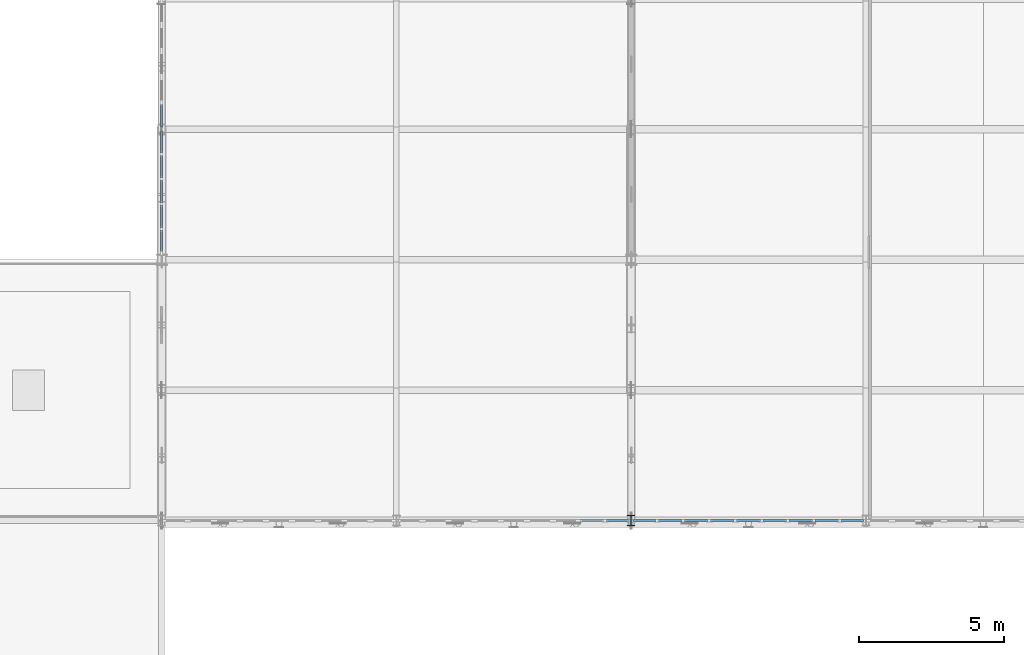
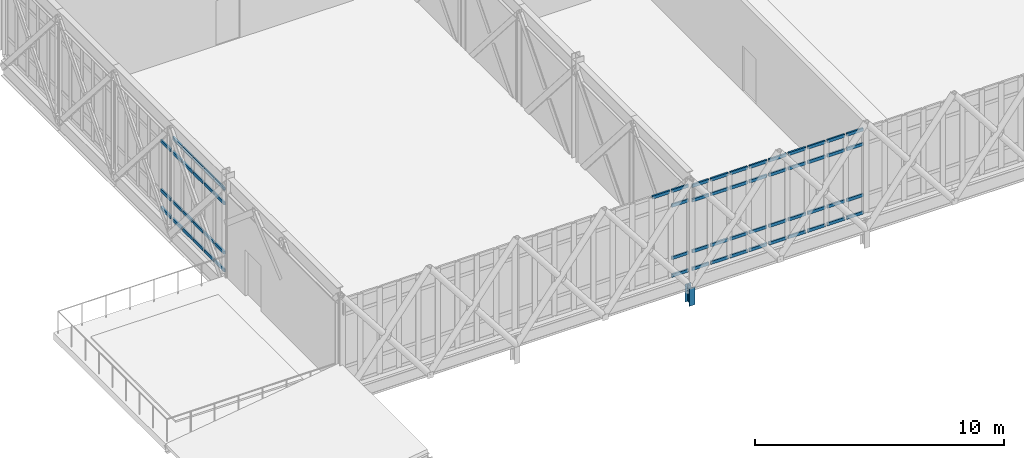
# One storey, part 44 of 107: 65 members, 4 elements without a shape of their own.
"""IFC4 building model written with IfcOpenShell, lengths in metres."""

from ifc_helpers import new_model, si_unit, direction, frame, origin, origin_2d, place, context, subcontext, project, spatial, rectangle, i_section, extrude, material, material_profile, profile_set, type_object, element, aggregate, save


model = new_model("IFC4")

# Units and contexts
model_context = context("Model", 3, precision=1e-05, world=origin(), true_north=direction((0.0, 1.0)))
body_context = subcontext(model_context, "Body", "Model", "MODEL_VIEW")
ifc_project = project(units=[si_unit("LENGTHUNIT", "METRE"), si_unit("AREAUNIT", "SQUARE_METRE"), si_unit("VOLUMEUNIT", "CUBIC_METRE"), si_unit("PLANEANGLEUNIT", "RADIAN"), si_unit("MASSUNIT", "GRAM", prefix="KILO")], contexts=[model_context])

# Site, building, storey
site_placement = place(None, origin())
site = spatial("IfcSite", under=ifc_project, at=site_placement, CompositionType="ELEMENT")
building_placement = place(site_placement, origin())
building = spatial("IfcBuilding", under=site, at=building_placement, Name="Tarnveldt Square Police Headquarters", CompositionType="ELEMENT")
storey_placement = place(building_placement, frame((0.0, 0.0, 14.699951171875)))
storey = spatial("IfcBuildingStorey", under=building, at=storey_placement, Name="L03", CompositionType="ELEMENT", Elevation=14.699951171875)

# Curtain wall, members
ifc_material_1 = material(Name="UL 752 Level III laminated ballistic vision glass", Category="glass")
curtain_wall_type_1 = type_object("IfcCurtainWallType", Name="CW-BL-810x422", PredefinedType="USERDEFINED", material=ifc_material_1)
curtain_wall_1_placement = place(storey_placement, origin())
curtain_wall_1 = element("IfcCurtainWall", 1, at=curtain_wall_1_placement, inside=storey, type_object=curtain_wall_type_1, Name="L03 Curtain Wall CW-L03-024", ObjectType="BALLISTIC CURTAIN WALL", PredefinedType="USERDEFINED")
ifc_material_2 = material(Name="Thermally broken anodised aluminium 6063-T6", Category="aluminium")
ifc_material_profile_1 = material_profile(ifc_material_2, rectangle(XDim=0.074951171875, YDim=0.14990234375, at=origin_2d()), Name="CW-T75x150")
ifc_profile_set_1 = profile_set([ifc_material_profile_1], Name="Thermally broken anodised aluminium 6063-T6")
member_type_1 = type_object("IfcMemberType", Name="CWT-75x150", PredefinedType="USERDEFINED", material=ifc_profile_set_1)
member_1_placement = place(storey_placement, frame((22.54248046875, 7.0, 4.1826171875), z_axis=(1.0, 0.0, 0.0), x_axis=(0.0, 1.0, 0.0)))
member_1 = element("IfcMember", 2, at=member_1_placement, type_object=member_type_1, Name="CW-BL12 transom 8.4", ObjectType="TRANSOM", PredefinedType="USERDEFINED", context=body_context, shape_type="SweptSolid", body=[
    extrude(rectangle(XDim=0.074951171875, YDim=0.14990234375, at=origin_2d()), origin(), (0.0, 0.0, 1.0), 0.81494140625),
])
member_2_placement = place(storey_placement, frame((23.4423828125, 7.0, 0.03759765625), z_axis=(1.0, 0.0, 0.0), x_axis=(0.0, 1.0, 0.0)))
member_2 = element("IfcMember", 3, at=member_2_placement, type_object=member_type_1, Name="CW-BL12 transom 9.1", ObjectType="TRANSOM", PredefinedType="USERDEFINED", context=body_context, shape_type="SweptSolid", body=[
    extrude(rectangle(XDim=0.074951171875, YDim=0.14990234375, at=origin_2d()), origin(), (0.0, 0.0, 1.0), 0.772705078125),
])
member_3_placement = place(storey_placement, frame((23.4423828125, 7.0, 0.900146484375), z_axis=(1.0, 0.0, 0.0), x_axis=(0.0, 1.0, 0.0)))
member_3 = element("IfcMember", 4, at=member_3_placement, type_object=member_type_1, Name="CW-BL12 transom 9.2", ObjectType="TRANSOM", PredefinedType="USERDEFINED", context=body_context, shape_type="SweptSolid", body=[
    extrude(rectangle(XDim=0.074951171875, YDim=0.14990234375, at=origin_2d()), origin(), (0.0, 0.0, 1.0), 0.772705078125),
])
member_4_placement = place(storey_placement, frame((23.4423828125, 7.0, 3.469970703125), z_axis=(1.0, 0.0, 0.0), x_axis=(0.0, 1.0, 0.0)))
member_4 = element("IfcMember", 5, at=member_4_placement, type_object=member_type_1, Name="CW-BL12 transom 9.3", ObjectType="TRANSOM", PredefinedType="USERDEFINED", context=body_context, shape_type="SweptSolid", body=[
    extrude(rectangle(XDim=0.074951171875, YDim=0.14990234375, at=origin_2d()), origin(), (0.0, 0.0, 1.0), 0.772705078125),
])
member_5_placement = place(storey_placement, frame((23.4423828125, 7.0, 4.1826171875), z_axis=(1.0, 0.0, 0.0), x_axis=(0.0, 1.0, 0.0)))
member_5 = element("IfcMember", 6, at=member_5_placement, type_object=member_type_1, Name="CW-BL12 transom 9.4", ObjectType="TRANSOM", PredefinedType="USERDEFINED", context=body_context, shape_type="SweptSolid", body=[
    extrude(rectangle(XDim=0.074951171875, YDim=0.14990234375, at=origin_2d()), origin(), (0.0, 0.0, 1.0), 0.772705078125),
])
aggregate(curtain_wall_1, [member_1, member_2, member_3, member_4, member_5])

curtain_wall_type_2 = type_object("IfcCurtainWallType", Name="CW-BL-810x414", PredefinedType="USERDEFINED", material=ifc_material_1)
curtain_wall_2_placement = place(storey_placement, origin())
curtain_wall_2 = element("IfcCurtainWall", 7, at=curtain_wall_2_placement, inside=storey, type_object=curtain_wall_type_2, Name="L03 Curtain Wall CW-L03-025", ObjectType="BALLISTIC CURTAIN WALL", PredefinedType="USERDEFINED")
member_6_placement = place(storey_placement, frame((24.385009765625, 7.0, 0.03759765625), z_axis=(1.0, 0.0, 0.0), x_axis=(0.0, 1.0, 0.0)))
member_6 = element("IfcMember", 8, at=member_6_placement, type_object=member_type_1, Name="CW-BL13 transom 1.1", ObjectType="TRANSOM", PredefinedType="USERDEFINED", context=body_context, shape_type="SweptSolid", body=[
    extrude(rectangle(XDim=0.074951171875, YDim=0.14990234375, at=origin_2d()), origin(), (0.0, 0.0, 1.0), 0.7724609375),
])
member_7_placement = place(storey_placement, frame((24.385009765625, 7.0, 0.900146484375), z_axis=(1.0, 0.0, 0.0), x_axis=(0.0, 1.0, 0.0)))
member_7 = element("IfcMember", 9, at=member_7_placement, type_object=member_type_1, Name="CW-BL13 transom 1.2", ObjectType="TRANSOM", PredefinedType="USERDEFINED", context=body_context, shape_type="SweptSolid", body=[
    extrude(rectangle(XDim=0.074951171875, YDim=0.14990234375, at=origin_2d()), origin(), (0.0, 0.0, 1.0), 0.7724609375),
])
member_8_placement = place(storey_placement, frame((24.385009765625, 7.0, 3.39404296875), z_axis=(1.0, 0.0, 0.0), x_axis=(0.0, 1.0, 0.0)))
member_8 = element("IfcMember", 10, at=member_8_placement, type_object=member_type_1, Name="CW-BL13 transom 1.3", ObjectType="TRANSOM", PredefinedType="USERDEFINED", context=body_context, shape_type="SweptSolid", body=[
    extrude(rectangle(XDim=0.074951171875, YDim=0.14990234375, at=origin_2d()), origin(), (0.0, 0.0, 1.0), 0.7724609375),
])
member_9_placement = place(storey_placement, frame((24.385009765625, 7.0, 4.1064453125), z_axis=(1.0, 0.0, 0.0), x_axis=(0.0, 1.0, 0.0)))
member_9 = element("IfcMember", 11, at=member_9_placement, type_object=member_type_1, Name="CW-BL13 transom 1.4", ObjectType="TRANSOM", PredefinedType="USERDEFINED", context=body_context, shape_type="SweptSolid", body=[
    extrude(rectangle(XDim=0.074951171875, YDim=0.14990234375, at=origin_2d()), origin(), (0.0, 0.0, 1.0), 0.7724609375),
])
member_10_placement = place(storey_placement, frame((25.242431640625, 7.0, 0.03759765625), z_axis=(1.0, 0.0, 0.0), x_axis=(0.0, 1.0, 0.0)))
member_10 = element("IfcMember", 12, at=member_10_placement, type_object=member_type_1, Name="CW-BL13 transom 2.1", ObjectType="TRANSOM", PredefinedType="USERDEFINED", context=body_context, shape_type="SweptSolid", body=[
    extrude(rectangle(XDim=0.074951171875, YDim=0.14990234375, at=origin_2d()), origin(), (0.0, 0.0, 1.0), 0.815185546875),
])
member_11_placement = place(storey_placement, frame((25.242431640625, 7.0, 0.900146484375), z_axis=(1.0, 0.0, 0.0), x_axis=(0.0, 1.0, 0.0)))
member_11 = element("IfcMember", 13, at=member_11_placement, type_object=member_type_1, Name="CW-BL13 transom 2.2", ObjectType="TRANSOM", PredefinedType="USERDEFINED", context=body_context, shape_type="SweptSolid", body=[
    extrude(rectangle(XDim=0.074951171875, YDim=0.14990234375, at=origin_2d()), origin(), (0.0, 0.0, 1.0), 0.815185546875),
])
member_12_placement = place(storey_placement, frame((25.242431640625, 7.0, 3.39404296875), z_axis=(1.0, 0.0, 0.0), x_axis=(0.0, 1.0, 0.0)))
member_12 = element("IfcMember", 14, at=member_12_placement, type_object=member_type_1, Name="CW-BL13 transom 2.3", ObjectType="TRANSOM", PredefinedType="USERDEFINED", context=body_context, shape_type="SweptSolid", body=[
    extrude(rectangle(XDim=0.074951171875, YDim=0.14990234375, at=origin_2d()), origin(), (0.0, 0.0, 1.0), 0.815185546875),
])
member_13_placement = place(storey_placement, frame((25.242431640625, 7.0, 4.1064453125), z_axis=(1.0, 0.0, 0.0), x_axis=(0.0, 1.0, 0.0)))
member_13 = element("IfcMember", 15, at=member_13_placement, type_object=member_type_1, Name="CW-BL13 transom 2.4", ObjectType="TRANSOM", PredefinedType="USERDEFINED", context=body_context, shape_type="SweptSolid", body=[
    extrude(rectangle(XDim=0.074951171875, YDim=0.14990234375, at=origin_2d()), origin(), (0.0, 0.0, 1.0), 0.815185546875),
])
member_14_placement = place(storey_placement, frame((26.142578125, 7.0, 0.03759765625), z_axis=(1.0, 0.0, 0.0), x_axis=(0.0, 1.0, 0.0)))
member_14 = element("IfcMember", 16, at=member_14_placement, type_object=member_type_1, Name="CW-BL13 transom 3.1", ObjectType="TRANSOM", PredefinedType="USERDEFINED", context=body_context, shape_type="SweptSolid", body=[
    extrude(rectangle(XDim=0.074951171875, YDim=0.14990234375, at=origin_2d()), origin(), (0.0, 0.0, 1.0), 0.81494140625),
])
member_15_placement = place(storey_placement, frame((26.142578125, 7.0, 0.900146484375), z_axis=(1.0, 0.0, 0.0), x_axis=(0.0, 1.0, 0.0)))
member_15 = element("IfcMember", 17, at=member_15_placement, type_object=member_type_1, Name="CW-BL13 transom 3.2", ObjectType="TRANSOM", PredefinedType="USERDEFINED", context=body_context, shape_type="SweptSolid", body=[
    extrude(rectangle(XDim=0.074951171875, YDim=0.14990234375, at=origin_2d()), origin(), (0.0, 0.0, 1.0), 0.81494140625),
])
member_16_placement = place(storey_placement, frame((26.142578125, 7.0, 3.39404296875), z_axis=(1.0, 0.0, 0.0), x_axis=(0.0, 1.0, 0.0)))
member_16 = element("IfcMember", 18, at=member_16_placement, type_object=member_type_1, Name="CW-BL13 transom 3.3", ObjectType="TRANSOM", PredefinedType="USERDEFINED", context=body_context, shape_type="SweptSolid", body=[
    extrude(rectangle(XDim=0.074951171875, YDim=0.14990234375, at=origin_2d()), origin(), (0.0, 0.0, 1.0), 0.81494140625),
])
member_17_placement = place(storey_placement, frame((26.142578125, 7.0, 4.1064453125), z_axis=(1.0, 0.0, 0.0), x_axis=(0.0, 1.0, 0.0)))
member_17 = element("IfcMember", 19, at=member_17_placement, type_object=member_type_1, Name="CW-BL13 transom 3.4", ObjectType="TRANSOM", PredefinedType="USERDEFINED", context=body_context, shape_type="SweptSolid", body=[
    extrude(rectangle(XDim=0.074951171875, YDim=0.14990234375, at=origin_2d()), origin(), (0.0, 0.0, 1.0), 0.81494140625),
])
member_18_placement = place(storey_placement, frame((27.04248046875, 7.0, 0.03759765625), z_axis=(1.0, 0.0, 0.0), x_axis=(0.0, 1.0, 0.0)))
member_18 = element("IfcMember", 20, at=member_18_placement, type_object=member_type_1, Name="CW-BL13 transom 4.1", ObjectType="TRANSOM", PredefinedType="USERDEFINED", context=body_context, shape_type="SweptSolid", body=[
    extrude(rectangle(XDim=0.074951171875, YDim=0.14990234375, at=origin_2d()), origin(), (0.0, 0.0, 1.0), 0.81494140625),
])
member_19_placement = place(storey_placement, frame((27.04248046875, 7.0, 0.900146484375), z_axis=(1.0, 0.0, 0.0), x_axis=(0.0, 1.0, 0.0)))
member_19 = element("IfcMember", 21, at=member_19_placement, type_object=member_type_1, Name="CW-BL13 transom 4.2", ObjectType="TRANSOM", PredefinedType="USERDEFINED", context=body_context, shape_type="SweptSolid", body=[
    extrude(rectangle(XDim=0.074951171875, YDim=0.14990234375, at=origin_2d()), origin(), (0.0, 0.0, 1.0), 0.81494140625),
])
member_20_placement = place(storey_placement, frame((27.04248046875, 7.0, 3.39404296875), z_axis=(1.0, 0.0, 0.0), x_axis=(0.0, 1.0, 0.0)))
member_20 = element("IfcMember", 22, at=member_20_placement, type_object=member_type_1, Name="CW-BL13 transom 4.3", ObjectType="TRANSOM", PredefinedType="USERDEFINED", context=body_context, shape_type="SweptSolid", body=[
    extrude(rectangle(XDim=0.074951171875, YDim=0.14990234375, at=origin_2d()), origin(), (0.0, 0.0, 1.0), 0.81494140625),
])
member_21_placement = place(storey_placement, frame((27.04248046875, 7.0, 4.1064453125), z_axis=(1.0, 0.0, 0.0), x_axis=(0.0, 1.0, 0.0)))
member_21 = element("IfcMember", 23, at=member_21_placement, type_object=member_type_1, Name="CW-BL13 transom 4.4", ObjectType="TRANSOM", PredefinedType="USERDEFINED", context=body_context, shape_type="SweptSolid", body=[
    extrude(rectangle(XDim=0.074951171875, YDim=0.14990234375, at=origin_2d()), origin(), (0.0, 0.0, 1.0), 0.81494140625),
])
member_22_placement = place(storey_placement, frame((27.9423828125, 7.0, 0.03759765625), z_axis=(1.0, 0.0, 0.0), x_axis=(0.0, 1.0, 0.0)))
member_22 = element("IfcMember", 24, at=member_22_placement, type_object=member_type_1, Name="CW-BL13 transom 5.1", ObjectType="TRANSOM", PredefinedType="USERDEFINED", context=body_context, shape_type="SweptSolid", body=[
    extrude(rectangle(XDim=0.074951171875, YDim=0.14990234375, at=origin_2d()), origin(), (0.0, 0.0, 1.0), 0.815185546875),
])
member_23_placement = place(storey_placement, frame((27.9423828125, 7.0, 0.900146484375), z_axis=(1.0, 0.0, 0.0), x_axis=(0.0, 1.0, 0.0)))
member_23 = element("IfcMember", 25, at=member_23_placement, type_object=member_type_1, Name="CW-BL13 transom 5.2", ObjectType="TRANSOM", PredefinedType="USERDEFINED", context=body_context, shape_type="SweptSolid", body=[
    extrude(rectangle(XDim=0.074951171875, YDim=0.14990234375, at=origin_2d()), origin(), (0.0, 0.0, 1.0), 0.815185546875),
])
member_24_placement = place(storey_placement, frame((27.9423828125, 7.0, 3.39404296875), z_axis=(1.0, 0.0, 0.0), x_axis=(0.0, 1.0, 0.0)))
member_24 = element("IfcMember", 26, at=member_24_placement, type_object=member_type_1, Name="CW-BL13 transom 5.3", ObjectType="TRANSOM", PredefinedType="USERDEFINED", context=body_context, shape_type="SweptSolid", body=[
    extrude(rectangle(XDim=0.074951171875, YDim=0.14990234375, at=origin_2d()), origin(), (0.0, 0.0, 1.0), 0.815185546875),
])
member_25_placement = place(storey_placement, frame((27.9423828125, 7.0, 4.1064453125), z_axis=(1.0, 0.0, 0.0), x_axis=(0.0, 1.0, 0.0)))
member_25 = element("IfcMember", 27, at=member_25_placement, type_object=member_type_1, Name="CW-BL13 transom 5.4", ObjectType="TRANSOM", PredefinedType="USERDEFINED", context=body_context, shape_type="SweptSolid", body=[
    extrude(rectangle(XDim=0.074951171875, YDim=0.14990234375, at=origin_2d()), origin(), (0.0, 0.0, 1.0), 0.815185546875),
])
member_26_placement = place(storey_placement, frame((28.842529296875, 7.0, 0.03759765625), z_axis=(1.0, 0.0, 0.0), x_axis=(0.0, 1.0, 0.0)))
member_26 = element("IfcMember", 28, at=member_26_placement, type_object=member_type_1, Name="CW-BL13 transom 6.1", ObjectType="TRANSOM", PredefinedType="USERDEFINED", context=body_context, shape_type="SweptSolid", body=[
    extrude(rectangle(XDim=0.074951171875, YDim=0.14990234375, at=origin_2d()), origin(), (0.0, 0.0, 1.0), 0.81494140625),
])
member_27_placement = place(storey_placement, frame((28.842529296875, 7.0, 0.900146484375), z_axis=(1.0, 0.0, 0.0), x_axis=(0.0, 1.0, 0.0)))
member_27 = element("IfcMember", 29, at=member_27_placement, type_object=member_type_1, Name="CW-BL13 transom 6.2", ObjectType="TRANSOM", PredefinedType="USERDEFINED", context=body_context, shape_type="SweptSolid", body=[
    extrude(rectangle(XDim=0.074951171875, YDim=0.14990234375, at=origin_2d()), origin(), (0.0, 0.0, 1.0), 0.81494140625),
])
member_28_placement = place(storey_placement, frame((28.842529296875, 7.0, 3.39404296875), z_axis=(1.0, 0.0, 0.0), x_axis=(0.0, 1.0, 0.0)))
member_28 = element("IfcMember", 30, at=member_28_placement, type_object=member_type_1, Name="CW-BL13 transom 6.3", ObjectType="TRANSOM", PredefinedType="USERDEFINED", context=body_context, shape_type="SweptSolid", body=[
    extrude(rectangle(XDim=0.074951171875, YDim=0.14990234375, at=origin_2d()), origin(), (0.0, 0.0, 1.0), 0.81494140625),
])
member_29_placement = place(storey_placement, frame((28.842529296875, 7.0, 4.1064453125), z_axis=(1.0, 0.0, 0.0), x_axis=(0.0, 1.0, 0.0)))
member_29 = element("IfcMember", 31, at=member_29_placement, type_object=member_type_1, Name="CW-BL13 transom 6.4", ObjectType="TRANSOM", PredefinedType="USERDEFINED", context=body_context, shape_type="SweptSolid", body=[
    extrude(rectangle(XDim=0.074951171875, YDim=0.14990234375, at=origin_2d()), origin(), (0.0, 0.0, 1.0), 0.81494140625),
])
member_30_placement = place(storey_placement, frame((29.742431640625, 7.0, 0.03759765625), z_axis=(1.0, 0.0, 0.0), x_axis=(0.0, 1.0, 0.0)))
member_30 = element("IfcMember", 32, at=member_30_placement, type_object=member_type_1, Name="CW-BL13 transom 7.1", ObjectType="TRANSOM", PredefinedType="USERDEFINED", context=body_context, shape_type="SweptSolid", body=[
    extrude(rectangle(XDim=0.074951171875, YDim=0.14990234375, at=origin_2d()), origin(), (0.0, 0.0, 1.0), 0.815185546875),
])
member_31_placement = place(storey_placement, frame((29.742431640625, 7.0, 0.900146484375), z_axis=(1.0, 0.0, 0.0), x_axis=(0.0, 1.0, 0.0)))
member_31 = element("IfcMember", 33, at=member_31_placement, type_object=member_type_1, Name="CW-BL13 transom 7.2", ObjectType="TRANSOM", PredefinedType="USERDEFINED", context=body_context, shape_type="SweptSolid", body=[
    extrude(rectangle(XDim=0.074951171875, YDim=0.14990234375, at=origin_2d()), origin(), (0.0, 0.0, 1.0), 0.815185546875),
])
member_32_placement = place(storey_placement, frame((29.742431640625, 7.0, 3.39404296875), z_axis=(1.0, 0.0, 0.0), x_axis=(0.0, 1.0, 0.0)))
member_32 = element("IfcMember", 34, at=member_32_placement, type_object=member_type_1, Name="CW-BL13 transom 7.3", ObjectType="TRANSOM", PredefinedType="USERDEFINED", context=body_context, shape_type="SweptSolid", body=[
    extrude(rectangle(XDim=0.074951171875, YDim=0.14990234375, at=origin_2d()), origin(), (0.0, 0.0, 1.0), 0.815185546875),
])
member_33_placement = place(storey_placement, frame((29.742431640625, 7.0, 4.1064453125), z_axis=(1.0, 0.0, 0.0), x_axis=(0.0, 1.0, 0.0)))
member_33 = element("IfcMember", 35, at=member_33_placement, type_object=member_type_1, Name="CW-BL13 transom 7.4", ObjectType="TRANSOM", PredefinedType="USERDEFINED", context=body_context, shape_type="SweptSolid", body=[
    extrude(rectangle(XDim=0.074951171875, YDim=0.14990234375, at=origin_2d()), origin(), (0.0, 0.0, 1.0), 0.815185546875),
])
member_34_placement = place(storey_placement, frame((30.642578125, 7.0, 0.03759765625), z_axis=(1.0, 0.0, 0.0), x_axis=(0.0, 1.0, 0.0)))
member_34 = element("IfcMember", 36, at=member_34_placement, type_object=member_type_1, Name="CW-BL13 transom 8.1", ObjectType="TRANSOM", PredefinedType="USERDEFINED", context=body_context, shape_type="SweptSolid", body=[
    extrude(rectangle(XDim=0.074951171875, YDim=0.14990234375, at=origin_2d()), origin(), (0.0, 0.0, 1.0), 0.81494140625),
])
member_35_placement = place(storey_placement, frame((30.642578125, 7.0, 0.900146484375), z_axis=(1.0, 0.0, 0.0), x_axis=(0.0, 1.0, 0.0)))
member_35 = element("IfcMember", 37, at=member_35_placement, type_object=member_type_1, Name="CW-BL13 transom 8.2", ObjectType="TRANSOM", PredefinedType="USERDEFINED", context=body_context, shape_type="SweptSolid", body=[
    extrude(rectangle(XDim=0.074951171875, YDim=0.14990234375, at=origin_2d()), origin(), (0.0, 0.0, 1.0), 0.81494140625),
])
member_36_placement = place(storey_placement, frame((30.642578125, 7.0, 3.39404296875), z_axis=(1.0, 0.0, 0.0), x_axis=(0.0, 1.0, 0.0)))
member_36 = element("IfcMember", 38, at=member_36_placement, type_object=member_type_1, Name="CW-BL13 transom 8.3", ObjectType="TRANSOM", PredefinedType="USERDEFINED", context=body_context, shape_type="SweptSolid", body=[
    extrude(rectangle(XDim=0.074951171875, YDim=0.14990234375, at=origin_2d()), origin(), (0.0, 0.0, 1.0), 0.81494140625),
])
member_37_placement = place(storey_placement, frame((30.642578125, 7.0, 4.1064453125), z_axis=(1.0, 0.0, 0.0), x_axis=(0.0, 1.0, 0.0)))
member_37 = element("IfcMember", 39, at=member_37_placement, type_object=member_type_1, Name="CW-BL13 transom 8.4", ObjectType="TRANSOM", PredefinedType="USERDEFINED", context=body_context, shape_type="SweptSolid", body=[
    extrude(rectangle(XDim=0.074951171875, YDim=0.14990234375, at=origin_2d()), origin(), (0.0, 0.0, 1.0), 0.81494140625),
])
member_38_placement = place(storey_placement, frame((31.54248046875, 7.0, 0.03759765625), z_axis=(1.0, 0.0, 0.0), x_axis=(0.0, 1.0, 0.0)))
member_38 = element("IfcMember", 40, at=member_38_placement, type_object=member_type_1, Name="CW-BL13 transom 9.1", ObjectType="TRANSOM", PredefinedType="USERDEFINED", context=body_context, shape_type="SweptSolid", body=[
    extrude(rectangle(XDim=0.074951171875, YDim=0.14990234375, at=origin_2d()), origin(), (0.0, 0.0, 1.0), 0.7724609375),
])
member_39_placement = place(storey_placement, frame((31.54248046875, 7.0, 0.900146484375), z_axis=(1.0, 0.0, 0.0), x_axis=(0.0, 1.0, 0.0)))
member_39 = element("IfcMember", 41, at=member_39_placement, type_object=member_type_1, Name="CW-BL13 transom 9.2", ObjectType="TRANSOM", PredefinedType="USERDEFINED", context=body_context, shape_type="SweptSolid", body=[
    extrude(rectangle(XDim=0.074951171875, YDim=0.14990234375, at=origin_2d()), origin(), (0.0, 0.0, 1.0), 0.7724609375),
])
member_40_placement = place(storey_placement, frame((31.54248046875, 7.0, 3.39404296875), z_axis=(1.0, 0.0, 0.0), x_axis=(0.0, 1.0, 0.0)))
member_40 = element("IfcMember", 42, at=member_40_placement, type_object=member_type_1, Name="CW-BL13 transom 9.3", ObjectType="TRANSOM", PredefinedType="USERDEFINED", context=body_context, shape_type="SweptSolid", body=[
    extrude(rectangle(XDim=0.074951171875, YDim=0.14990234375, at=origin_2d()), origin(), (0.0, 0.0, 1.0), 0.7724609375),
])
member_41_placement = place(storey_placement, frame((31.54248046875, 7.0, 4.1064453125), z_axis=(1.0, 0.0, 0.0), x_axis=(0.0, 1.0, 0.0)))
member_41 = element("IfcMember", 43, at=member_41_placement, type_object=member_type_1, Name="CW-BL13 transom 9.4", ObjectType="TRANSOM", PredefinedType="USERDEFINED", context=body_context, shape_type="SweptSolid", body=[
    extrude(rectangle(XDim=0.074951171875, YDim=0.14990234375, at=origin_2d()), origin(), (0.0, 0.0, 1.0), 0.7724609375),
])
aggregate(curtain_wall_2, [member_6, member_7, member_8, member_9, member_10, member_11, member_12, member_13, member_14, member_15, member_16, member_17, member_18, member_19, member_20, member_21, member_22, member_23, member_24, member_25, member_26, member_27, member_28, member_29, member_30, member_31, member_32, member_33, member_34, member_35, member_36, member_37, member_38, member_39, member_40, member_41])

ifc_material_3 = material(Name="Triple-glazed low-e laminated vision glass", Category="glass")
curtain_wall_type_3 = type_object("IfcCurtainWallType", Name="CW-LT-430x407", PredefinedType="USERDEFINED", material=ifc_material_3)
curtain_wall_3_placement = place(storey_placement, origin())
curtain_wall_3 = element("IfcCurtainWall", 44, at=curtain_wall_3_placement, inside=storey, type_object=curtain_wall_type_3, Name="L03 Curtain Wall CW-L03-033", ObjectType="GLAZED CURTAIN WALL", PredefinedType="USERDEFINED")
member_42_placement = place(storey_placement, frame((8.10009765625, 16.277099609375, 0.03759765625), z_axis=(0.0, 1.0, 0.0), x_axis=(-1.0, 0.0, 0.0)))
member_42 = element("IfcMember", 45, at=member_42_placement, type_object=member_type_1, Name="CW-LT15 transom 1.1", ObjectType="TRANSOM", PredefinedType="USERDEFINED", context=body_context, shape_type="SweptSolid", body=[
    extrude(rectangle(XDim=0.074951171875, YDim=0.14990234375, at=origin_2d()), origin(), (0.0, 0.0, 1.0), 0.7470703125),
])
member_43_placement = place(storey_placement, frame((8.10009765625, 16.277099609375, 0.900146484375), z_axis=(0.0, 1.0, 0.0), x_axis=(-1.0, 0.0, 0.0)))
member_43 = element("IfcMember", 46, at=member_43_placement, type_object=member_type_1, Name="CW-LT15 transom 1.2", ObjectType="TRANSOM", PredefinedType="USERDEFINED", context=body_context, shape_type="SweptSolid", body=[
    extrude(rectangle(XDim=0.074951171875, YDim=0.14990234375, at=origin_2d()), origin(), (0.0, 0.0, 1.0), 0.7470703125),
])
member_44_placement = place(storey_placement, frame((8.10009765625, 16.277099609375, 3.316162109375), z_axis=(0.0, 1.0, 0.0), x_axis=(-1.0, 0.0, 0.0)))
member_44 = element("IfcMember", 47, at=member_44_placement, type_object=member_type_1, Name="CW-LT15 transom 1.3", ObjectType="TRANSOM", PredefinedType="USERDEFINED", context=body_context, shape_type="SweptSolid", body=[
    extrude(rectangle(XDim=0.074951171875, YDim=0.14990234375, at=origin_2d()), origin(), (0.0, 0.0, 1.0), 0.7470703125),
])
member_45_placement = place(storey_placement, frame((8.10009765625, 16.277099609375, 4.028564453125), z_axis=(0.0, 1.0, 0.0), x_axis=(-1.0, 0.0, 0.0)))
member_45 = element("IfcMember", 48, at=member_45_placement, type_object=member_type_1, Name="CW-LT15 transom 1.4", ObjectType="TRANSOM", PredefinedType="USERDEFINED", context=body_context, shape_type="SweptSolid", body=[
    extrude(rectangle(XDim=0.074951171875, YDim=0.14990234375, at=origin_2d()), origin(), (0.0, 0.0, 1.0), 0.7470703125),
])
member_46_placement = place(storey_placement, frame((8.10009765625, 17.09912109375, 0.03759765625), z_axis=(0.0, 1.0, 0.0), x_axis=(-1.0, 0.0, 0.0)))
member_46 = element("IfcMember", 49, at=member_46_placement, type_object=member_type_1, Name="CW-LT15 transom 2.1", ObjectType="TRANSOM", PredefinedType="USERDEFINED", context=body_context, shape_type="SweptSolid", body=[
    extrude(rectangle(XDim=0.074951171875, YDim=0.14990234375, at=origin_2d()), origin(), (0.0, 0.0, 1.0), 0.78466796875),
])
member_47_placement = place(storey_placement, frame((8.10009765625, 17.09912109375, 0.900146484375), z_axis=(0.0, 1.0, 0.0), x_axis=(-1.0, 0.0, 0.0)))
member_47 = element("IfcMember", 50, at=member_47_placement, type_object=member_type_1, Name="CW-LT15 transom 2.2", ObjectType="TRANSOM", PredefinedType="USERDEFINED", context=body_context, shape_type="SweptSolid", body=[
    extrude(rectangle(XDim=0.074951171875, YDim=0.14990234375, at=origin_2d()), origin(), (0.0, 0.0, 1.0), 0.78466796875),
])
member_48_placement = place(storey_placement, frame((8.10009765625, 17.09912109375, 3.316162109375), z_axis=(0.0, 1.0, 0.0), x_axis=(-1.0, 0.0, 0.0)))
member_48 = element("IfcMember", 51, at=member_48_placement, type_object=member_type_1, Name="CW-LT15 transom 2.3", ObjectType="TRANSOM", PredefinedType="USERDEFINED", context=body_context, shape_type="SweptSolid", body=[
    extrude(rectangle(XDim=0.074951171875, YDim=0.14990234375, at=origin_2d()), origin(), (0.0, 0.0, 1.0), 0.78466796875),
])
member_49_placement = place(storey_placement, frame((8.10009765625, 17.09912109375, 4.028564453125), z_axis=(0.0, 1.0, 0.0), x_axis=(-1.0, 0.0, 0.0)))
member_49 = element("IfcMember", 52, at=member_49_placement, type_object=member_type_1, Name="CW-LT15 transom 2.4", ObjectType="TRANSOM", PredefinedType="USERDEFINED", context=body_context, shape_type="SweptSolid", body=[
    extrude(rectangle(XDim=0.074951171875, YDim=0.14990234375, at=origin_2d()), origin(), (0.0, 0.0, 1.0), 0.78466796875),
])
member_50_placement = place(storey_placement, frame((8.10009765625, 17.958740234375, 0.03759765625), z_axis=(0.0, 1.0, 0.0), x_axis=(-1.0, 0.0, 0.0)))
member_50 = element("IfcMember", 53, at=member_50_placement, type_object=member_type_1, Name="CW-LT15 transom 3.1", ObjectType="TRANSOM", PredefinedType="USERDEFINED", context=body_context, shape_type="SweptSolid", body=[
    extrude(rectangle(XDim=0.074951171875, YDim=0.14990234375, at=origin_2d()), origin(), (0.0, 0.0, 1.0), 0.78466796875),
])
member_51_placement = place(storey_placement, frame((8.10009765625, 17.958740234375, 0.900146484375), z_axis=(0.0, 1.0, 0.0), x_axis=(-1.0, 0.0, 0.0)))
member_51 = element("IfcMember", 54, at=member_51_placement, type_object=member_type_1, Name="CW-LT15 transom 3.2", ObjectType="TRANSOM", PredefinedType="USERDEFINED", context=body_context, shape_type="SweptSolid", body=[
    extrude(rectangle(XDim=0.074951171875, YDim=0.14990234375, at=origin_2d()), origin(), (0.0, 0.0, 1.0), 0.78466796875),
])
member_52_placement = place(storey_placement, frame((8.10009765625, 17.958740234375, 3.316162109375), z_axis=(0.0, 1.0, 0.0), x_axis=(-1.0, 0.0, 0.0)))
member_52 = element("IfcMember", 55, at=member_52_placement, type_object=member_type_1, Name="CW-LT15 transom 3.3", ObjectType="TRANSOM", PredefinedType="USERDEFINED", context=body_context, shape_type="SweptSolid", body=[
    extrude(rectangle(XDim=0.074951171875, YDim=0.14990234375, at=origin_2d()), origin(), (0.0, 0.0, 1.0), 0.78466796875),
])
member_53_placement = place(storey_placement, frame((8.10009765625, 17.958740234375, 4.028564453125), z_axis=(0.0, 1.0, 0.0), x_axis=(-1.0, 0.0, 0.0)))
member_53 = element("IfcMember", 56, at=member_53_placement, type_object=member_type_1, Name="CW-LT15 transom 3.4", ObjectType="TRANSOM", PredefinedType="USERDEFINED", context=body_context, shape_type="SweptSolid", body=[
    extrude(rectangle(XDim=0.074951171875, YDim=0.14990234375, at=origin_2d()), origin(), (0.0, 0.0, 1.0), 0.78466796875),
])
member_54_placement = place(storey_placement, frame((8.10009765625, 18.818359375, 0.03759765625), z_axis=(0.0, 1.0, 0.0), x_axis=(-1.0, 0.0, 0.0)))
member_54 = element("IfcMember", 57, at=member_54_placement, type_object=member_type_1, Name="CW-LT15 transom 4.1", ObjectType="TRANSOM", PredefinedType="USERDEFINED", context=body_context, shape_type="SweptSolid", body=[
    extrude(rectangle(XDim=0.074951171875, YDim=0.14990234375, at=origin_2d()), origin(), (0.0, 0.0, 1.0), 0.784423828125),
])
member_55_placement = place(storey_placement, frame((8.10009765625, 18.818359375, 0.900146484375), z_axis=(0.0, 1.0, 0.0), x_axis=(-1.0, 0.0, 0.0)))
member_55 = element("IfcMember", 58, at=member_55_placement, type_object=member_type_1, Name="CW-LT15 transom 4.2", ObjectType="TRANSOM", PredefinedType="USERDEFINED", context=body_context, shape_type="SweptSolid", body=[
    extrude(rectangle(XDim=0.074951171875, YDim=0.14990234375, at=origin_2d()), origin(), (0.0, 0.0, 1.0), 0.784423828125),
])
member_56_placement = place(storey_placement, frame((8.10009765625, 18.818359375, 3.316162109375), z_axis=(0.0, 1.0, 0.0), x_axis=(-1.0, 0.0, 0.0)))
member_56 = element("IfcMember", 59, at=member_56_placement, type_object=member_type_1, Name="CW-LT15 transom 4.3", ObjectType="TRANSOM", PredefinedType="USERDEFINED", context=body_context, shape_type="SweptSolid", body=[
    extrude(rectangle(XDim=0.074951171875, YDim=0.14990234375, at=origin_2d()), origin(), (0.0, 0.0, 1.0), 0.784423828125),
])
member_57_placement = place(storey_placement, frame((8.10009765625, 18.818359375, 4.028564453125), z_axis=(0.0, 1.0, 0.0), x_axis=(-1.0, 0.0, 0.0)))
member_57 = element("IfcMember", 60, at=member_57_placement, type_object=member_type_1, Name="CW-LT15 transom 4.4", ObjectType="TRANSOM", PredefinedType="USERDEFINED", context=body_context, shape_type="SweptSolid", body=[
    extrude(rectangle(XDim=0.074951171875, YDim=0.14990234375, at=origin_2d()), origin(), (0.0, 0.0, 1.0), 0.784423828125),
])
member_58_placement = place(storey_placement, frame((8.10009765625, 19.677978515625, 0.03759765625), z_axis=(0.0, 1.0, 0.0), x_axis=(-1.0, 0.0, 0.0)))
member_58 = element("IfcMember", 61, at=member_58_placement, type_object=member_type_1, Name="CW-LT15 transom 5.1", ObjectType="TRANSOM", PredefinedType="USERDEFINED", context=body_context, shape_type="SweptSolid", body=[
    extrude(rectangle(XDim=0.074951171875, YDim=0.14990234375, at=origin_2d()), origin(), (0.0, 0.0, 1.0), 0.7470703125),
])
member_59_placement = place(storey_placement, frame((8.10009765625, 19.677978515625, 0.900146484375), z_axis=(0.0, 1.0, 0.0), x_axis=(-1.0, 0.0, 0.0)))
member_59 = element("IfcMember", 62, at=member_59_placement, type_object=member_type_1, Name="CW-LT15 transom 5.2", ObjectType="TRANSOM", PredefinedType="USERDEFINED", context=body_context, shape_type="SweptSolid", body=[
    extrude(rectangle(XDim=0.074951171875, YDim=0.14990234375, at=origin_2d()), origin(), (0.0, 0.0, 1.0), 0.7470703125),
])
member_60_placement = place(storey_placement, frame((8.10009765625, 19.677978515625, 3.316162109375), z_axis=(0.0, 1.0, 0.0), x_axis=(-1.0, 0.0, 0.0)))
member_60 = element("IfcMember", 63, at=member_60_placement, type_object=member_type_1, Name="CW-LT15 transom 5.3", ObjectType="TRANSOM", PredefinedType="USERDEFINED", context=body_context, shape_type="SweptSolid", body=[
    extrude(rectangle(XDim=0.074951171875, YDim=0.14990234375, at=origin_2d()), origin(), (0.0, 0.0, 1.0), 0.7470703125),
])
member_61_placement = place(storey_placement, frame((8.10009765625, 19.677978515625, 4.028564453125), z_axis=(0.0, 1.0, 0.0), x_axis=(-1.0, 0.0, 0.0)))
member_61 = element("IfcMember", 64, at=member_61_placement, type_object=member_type_1, Name="CW-LT15 transom 5.4", ObjectType="TRANSOM", PredefinedType="USERDEFINED", context=body_context, shape_type="SweptSolid", body=[
    extrude(rectangle(XDim=0.074951171875, YDim=0.14990234375, at=origin_2d()), origin(), (0.0, 0.0, 1.0), 0.7470703125),
])
aggregate(curtain_wall_3, [member_42, member_43, member_44, member_45, member_46, member_47, member_48, member_49, member_50, member_51, member_52, member_53, member_54, member_55, member_56, member_57, member_58, member_59, member_60, member_61])

curtain_wall_type_4 = type_object("IfcCurtainWallType", Name="CW-LT-450x407", PredefinedType="USERDEFINED", material=ifc_material_3)
curtain_wall_4_placement = place(storey_placement, origin())
curtain_wall_4 = element("IfcCurtainWall", 65, at=curtain_wall_4_placement, inside=storey, type_object=curtain_wall_type_4, Name="L03 Curtain Wall CW-L03-034", ObjectType="GLAZED CURTAIN WALL", PredefinedType="USERDEFINED")
member_62_placement = place(storey_placement, frame((8.10009765625, 20.574951171875, 0.03759765625), z_axis=(0.0, 1.0, 0.0), x_axis=(-1.0, 0.0, 0.0)))
member_62 = element("IfcMember", 66, at=member_62_placement, type_object=member_type_1, Name="CW-LT16 transom 1.1", ObjectType="TRANSOM", PredefinedType="USERDEFINED", context=body_context, shape_type="SweptSolid", body=[
    extrude(rectangle(XDim=0.074951171875, YDim=0.14990234375, at=origin_2d()), origin(), (0.0, 0.0, 1.0), 0.78759765625),
])
member_63_placement = place(storey_placement, frame((8.10009765625, 20.574951171875, 0.900146484375), z_axis=(0.0, 1.0, 0.0), x_axis=(-1.0, 0.0, 0.0)))
member_63 = element("IfcMember", 67, at=member_63_placement, type_object=member_type_1, Name="CW-LT16 transom 1.2", ObjectType="TRANSOM", PredefinedType="USERDEFINED", context=body_context, shape_type="SweptSolid", body=[
    extrude(rectangle(XDim=0.074951171875, YDim=0.14990234375, at=origin_2d()), origin(), (0.0, 0.0, 1.0), 0.78759765625),
])
member_64_placement = place(storey_placement, frame((8.10009765625, 20.574951171875, 3.316162109375), z_axis=(0.0, 1.0, 0.0), x_axis=(-1.0, 0.0, 0.0)))
member_64 = element("IfcMember", 68, at=member_64_placement, type_object=member_type_1, Name="CW-LT16 transom 1.3", ObjectType="TRANSOM", PredefinedType="USERDEFINED", context=body_context, shape_type="SweptSolid", body=[
    extrude(rectangle(XDim=0.074951171875, YDim=0.14990234375, at=origin_2d()), origin(), (0.0, 0.0, 1.0), 0.78759765625),
])
aggregate(curtain_wall_4, [member_62, member_63, member_64])

# Member
ifc_material_4 = material(Name="Steel 350W", Category="steel")
ifc_material_profile_2 = material_profile(ifc_material_4, i_section(OverallWidth=0.257080078125, OverallDepth=0.363037109375, WebThickness=0.012939453125, FlangeThickness=0.021728515625, FilletRadius=0.01611328125, at=origin_2d()), Name="W360x122")
ifc_profile_set_2 = profile_set([ifc_material_profile_2], Name="Steel 350W")
member_type_2 = type_object("IfcMemberType", Name="MEM-CT-POST", PredefinedType="STRUT", material=ifc_profile_set_2)
member_65_placement = place(storey_placement, frame((24.300048828125, 7.0, -1.619873046875), z_axis=(0.0, 0.0, 1.0), x_axis=(1.0, 0.0, 0.0)))
element("IfcMember", 69, at=member_65_placement, inside=storey, type_object=member_type_2, Name="Lantern Soffit Tip Hanger 3", PredefinedType="STRUT", context=body_context, shape_type="SweptSolid", body=[
    extrude(i_section(OverallWidth=0.257080078125, OverallDepth=0.363037109375, WebThickness=0.012939453125, FlangeThickness=0.021728515625, FilletRadius=0.01611328125, at=origin_2d()), origin(), (0.0, 0.0, 1.0), 0.876953125),
])

save(model, "model.ifc")
